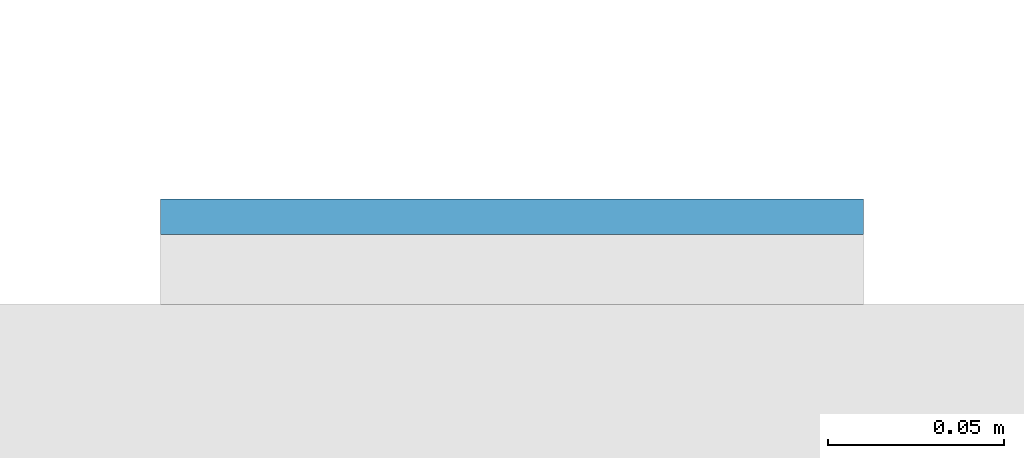
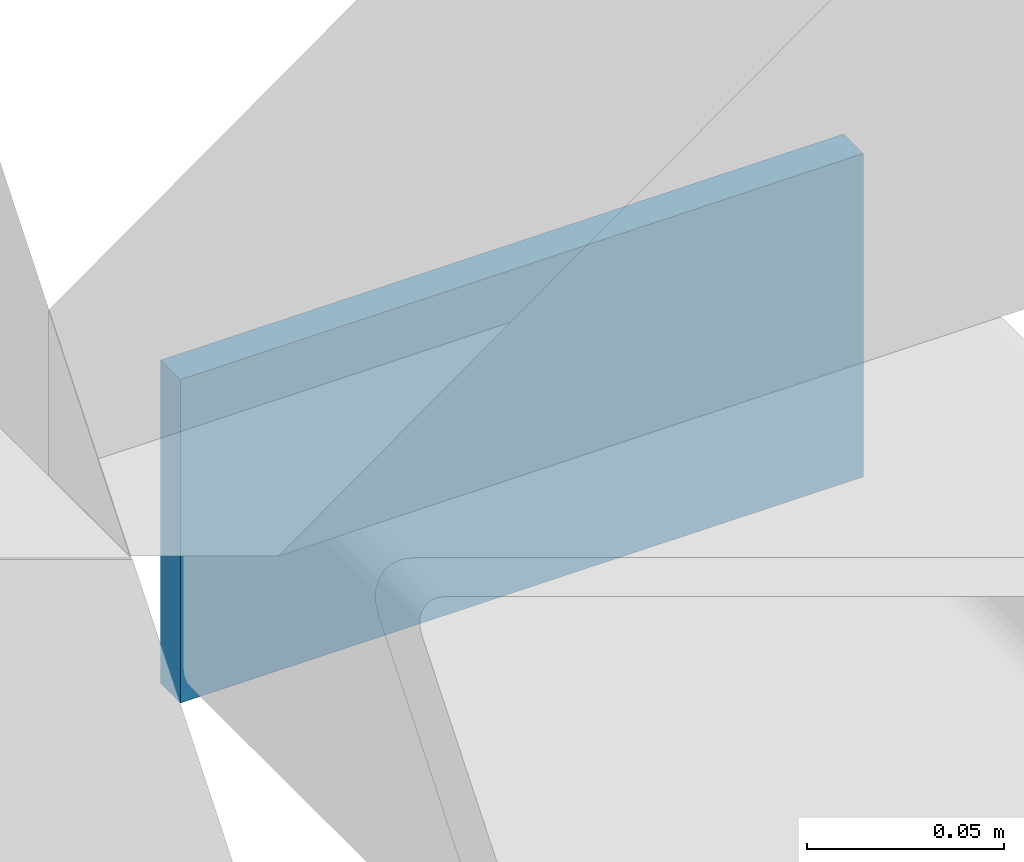
# One storey, part 11 of 20: 1 plate.
"""IFC4 building model written with IfcOpenShell, lengths in metres."""

from ifc_helpers import new_model, si_unit, direction, frame, origin, origin_2d, place, context, subcontext, project, spatial, rectangle, extrude, material, layer, layer_set, type_object, element, save


model = new_model("IFC4")

# Units and contexts
model_context = context("Model", 3, precision=1e-05, world=origin(), true_north=direction((0.0, 1.0)))
body_context = subcontext(model_context, "Body", "Model", "MODEL_VIEW")
ifc_project = project(units=[si_unit("LENGTHUNIT", "METRE"), si_unit("AREAUNIT", "SQUARE_METRE"), si_unit("VOLUMEUNIT", "CUBIC_METRE"), si_unit("PLANEANGLEUNIT", "RADIAN"), si_unit("MASSUNIT", "GRAM", prefix="KILO")], contexts=[model_context])

# Site, building, storey
site_placement = place(None, origin())
site = spatial("IfcSite", under=ifc_project, at=site_placement, CompositionType="ELEMENT")
building_placement = place(site_placement, origin())
building = spatial("IfcBuilding", under=site, at=building_placement, Name="Cleftline Residences", CompositionType="ELEMENT")
storey_placement = place(building_placement, frame((0.0, 0.0, 146.60009765625)))
storey = spatial("IfcBuildingStorey", under=building, at=storey_placement, Name="L38", CompositionType="ELEMENT", Elevation=146.60009765625)

# Plate
ifc_material = material(Name="Steel S355, hot-dip galvanised", Category="steel")
ifc_layer = layer(ifc_material, 0.010009765625)
ifc_layer_set = layer_set([ifc_layer], Name="BAGUETTE CARRIER END PLATE 200X100X10")
plate_type = type_object("IfcPlateType", Name="BAGUETTE CARRIER END PLATE 200X100X10", PredefinedType="USERDEFINED", material=ifc_layer_set)
plate_placement = place(storey_placement, frame((66.85009765625, 44.304931640625, -0.10009765625), z_axis=(0.0, 0.0, 1.0), x_axis=(1.0, 0.0, 0.0)))
element("IfcPlate", 1, at=plate_placement, inside=storey, type_object=plate_type, Name="Baguette carrier end plate", ObjectType="BAGUETTE CARRIER END PLATE", PredefinedType="USERDEFINED", context=body_context, shape_type="SweptSolid", body=[
    extrude(rectangle(XDim=0.199951171875, YDim=0.010009765625, at=origin_2d()), origin(), (0.0, 0.0, 1.0), 0.10009765625),
])

save(model, "model.ifc")
